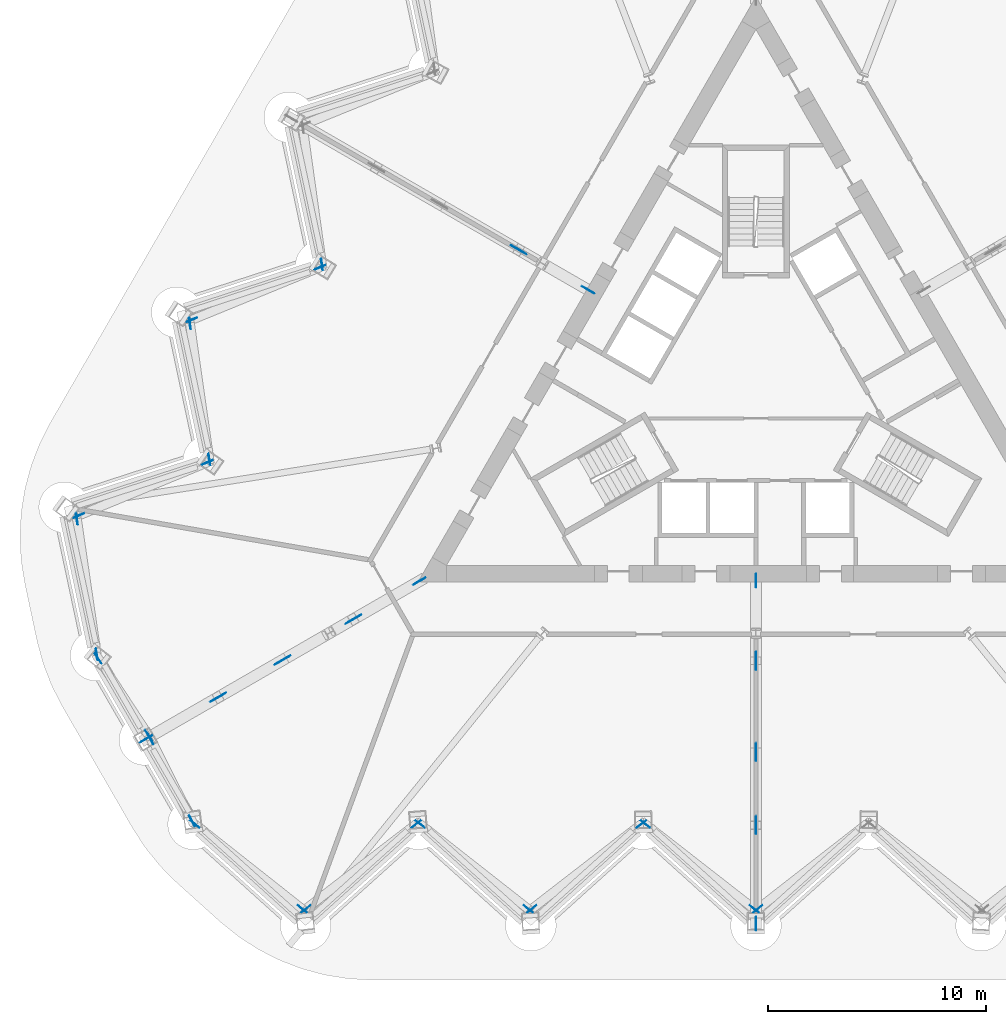
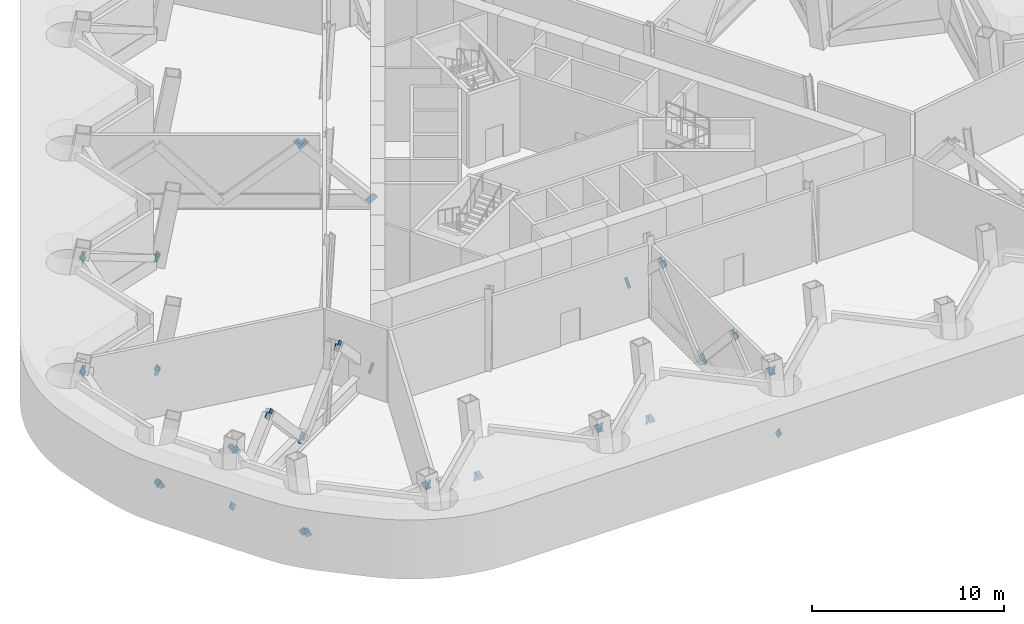
# One storey, part 8 of 13: 43 discrete accessories.
"""IFC4 building model written with IfcOpenShell, lengths in metres."""

from ifc_helpers import new_model, si_unit, direction, frame, origin, origin_2d, place, context, subcontext, project, spatial, rectangle, extrude, material, material_profile, profile_set, type_object, element, save


model = new_model("IFC4")

# Units and contexts
model_context = context("Model", 3, precision=1e-05, world=origin(), true_north=direction((0.0, 1.0)))
body_context = subcontext(model_context, "Body", "Model", "MODEL_VIEW")
ifc_project = project(units=[si_unit("LENGTHUNIT", "METRE"), si_unit("AREAUNIT", "SQUARE_METRE"), si_unit("VOLUMEUNIT", "CUBIC_METRE"), si_unit("PLANEANGLEUNIT", "RADIAN"), si_unit("MASSUNIT", "GRAM", prefix="KILO")], contexts=[model_context])

# Site, building, storey
site_placement = place(None, origin())
site = spatial("IfcSite", under=ifc_project, at=site_placement, CompositionType="ELEMENT")
building_placement = place(site_placement, origin())
building = spatial("IfcBuilding", under=site, at=building_placement, Name="Cormorant Prow Tower", CompositionType="ELEMENT")
storey_placement = place(building_placement, frame((0.0, 0.0, 226.0)))
storey = spatial("IfcBuildingStorey", under=building, at=storey_placement, Name="L49", CompositionType="ELEMENT", Elevation=226.0)

# Discrete accessories
ifc_material_1 = material(Name="Structural steel ASTM A500 Gr C", Category="steel")
ifc_material_profile_1 = material_profile(ifc_material_1, rectangle(XDim=0.031982421875, YDim=0.506103515625, at=origin_2d()), Name="Gusset plate 32x506")
ifc_profile_set_1 = profile_set([ifc_material_profile_1], Name="Structural steel ASTM A500 Gr C")
discrete_accessory_type_1 = type_object("IfcDiscreteAccessoryType", Name="Gusset plate 32x506", PredefinedType="BRACKET", material=ifc_profile_set_1)
for number, where, z_axis, x_axis, name in (
    (1, (-25.63037109375, -20.1552734375, 0.60009765625), (-0.67933311611, 0.53704979405, -0.500084029005), (-0.620166431531, -0.784470265339, 0.0), "Gusset plate GP2 L49.S00.g0"),
    (2, (-20.941650390625, -23.859375, 4.050048828125), (0.67933311611, -0.53704979405, 0.500084029005), (0.620166431531, 0.784470265339, 0.0), "Gusset plate GP2 L49.S00.g1"),
    (3, (-15.707275390625, -20.1533203125, 0.59814453125), (0.689207803616, 0.530159848935, -0.493885754008), (-0.60971076085, 0.792623989105, 0.0), "Gusset plate GP2 L49.S01.g0"),
    (4, (-20.531005859375, -23.861328125, 4.052001953125), (-0.68981106465, -0.530087370206, 0.493120750968), (0.609323229483, -0.792921939419, 0.0), "Gusset plate GP2 L49.S01.g1"),
    (5, (-15.2958984375, -20.15478515625, 0.599609375), (-0.682067742862, 0.534914068277, -0.498648707716), (-0.617110632136, -0.786876399255, 0.0), "Gusset plate GP2 L49.S02.g0"),
):
    element("IfcDiscreteAccessory", number, at=place(storey_placement, frame(where, z_axis=z_axis, x_axis=x_axis)), inside=storey, type_object=discrete_accessory_type_1, Name=name, PredefinedType="BRACKET", context=body_context, shape_type="SweptSolid", body=[
        extrude(rectangle(XDim=0.031982421875, YDim=0.506103515625, at=origin_2d()), origin(), (0.0, 0.0, 1.0), 0.35009765625),
    ])
discrete_accessory_1_placement = place(storey_placement, frame((-10.573486328125, -23.85986328125, 4.050537109375), z_axis=(0.681931764395, -0.535354824248, 0.498361596497), x_axis=(0.617501497855, 0.786569704569, 0.0)))
element("IfcDiscreteAccessory", 6, at=discrete_accessory_1_placement, inside=storey, type_object=discrete_accessory_type_1, Name="Gusset plate GP2 L49.S02.g1", PredefinedType="BRACKET", context=body_context, shape_type="SweptSolid", body=[
    extrude(rectangle(XDim=0.031982421875, YDim=0.506103515625, at=origin_2d()), origin(), (0.0, 0.0, 1.0), 0.349853515625),
])
for number, where, z_axis, x_axis, name in (
    (7, (-5.373046875, -20.15380859375, 0.5986328125), (0.686866771604, 0.532060250491, -0.495101936892), (-0.612383612236, 0.790560757605, 0.0), "Gusset plate GP2 L49.S03.g0"),
    (8, (-10.162841796875, -23.86083984375, 4.051513671875), (-0.686866771604, -0.532060250491, 0.495101936892), (0.612383612236, -0.790560757605, 0.0), "Gusset plate GP2 L49.S03.g1"),
):
    element("IfcDiscreteAccessory", number, at=place(storey_placement, frame(where, z_axis=z_axis, x_axis=x_axis)), inside=storey, type_object=discrete_accessory_type_1, Name=name, PredefinedType="BRACKET", context=body_context, shape_type="SweptSolid", body=[
        extrude(rectangle(XDim=0.031982421875, YDim=0.506103515625, at=origin_2d()), origin(), (0.0, 0.0, 1.0), 0.35009765625),
    ])
discrete_accessory_2_placement = place(storey_placement, frame((-4.96142578125, -20.154296875, 0.59912109375), z_axis=(-0.684537831698, 0.533270306771, -0.497021867618), x_axis=(-0.614552200548, -0.788876158089, 0.0)))
element("IfcDiscreteAccessory", 9, at=discrete_accessory_2_placement, inside=storey, type_object=discrete_accessory_type_1, Name="Gusset plate GP2 L49.S04.g0", PredefinedType="BRACKET", context=body_context, shape_type="SweptSolid", body=[
    extrude(rectangle(XDim=0.031982421875, YDim=0.506103515625, at=origin_2d()), origin(), (0.0, 0.0, 1.0), 0.350341796875),
])
for number, where, z_axis, x_axis, name in (
    (10, (-0.205322265625, -23.8603515625, 4.051025390625), (0.684404354087, -0.533709817407, 0.496733843129), (0.61494183436, 0.788572469944, 0.0), "Gusset plate GP2 L49.S04.g1"),
    (11, (0.205322265625, -23.8603515625, 4.051025390625), (-0.684404354087, -0.533709817407, 0.496733843129), (0.61494183436, -0.788572469944, 0.0), "Gusset plate GP2 L49.S05.g1"),
):
    element("IfcDiscreteAccessory", number, at=place(storey_placement, frame(where, z_axis=z_axis, x_axis=x_axis)), inside=storey, type_object=discrete_accessory_type_1, Name=name, PredefinedType="BRACKET", context=body_context, shape_type="SweptSolid", body=[
        extrude(rectangle(XDim=0.031982421875, YDim=0.506103515625, at=origin_2d()), origin(), (0.0, 0.0, 1.0), 0.349853515625),
    ])
for number, where, z_axis, x_axis, name in (
    (12, (-19.934814453125, 5.7802734375, 0.59912109375), (0.119961101669, -0.859256263118, -0.497280613314), (0.990394657422, 0.138269383991, 0.0), "Gusset plate GP2 L49.WNW05.g0"),
    (13, (-20.14013671875, 5.423828125, 0.5986328125), (0.804056947332, 0.329154275057, -0.49512613409), (-0.378851611009, 0.925457431131, 0.0), "Gusset plate GP2 L49.WNW06.g0"),
    (14, (-25.74560546875, 3.129150390625, 4.051513671875), (-0.804056947332, -0.329154275057, 0.49512613409), (0.378851611009, -0.925457431131, 0.0), "Gusset plate GP2 L49.WNW06.g1"),
    (15, (-25.1025390625, -3.169189453125, 0.599609375), (0.12269763804, -0.858186320608, -0.498459154537), (0.989933403857, 0.141533939138, 0.0), "Gusset plate GP2 L49.WNW07.g0"),
    (16, (-25.9501953125, 2.77294921875, 4.050537109375), (-0.122053298039, 0.858557770774, 0.497977455997), (-0.990045774508, -0.140745743736, 0.0), "Gusset plate GP2 L49.WNW07.g1"),
    (17, (-25.306884765625, -3.5263671875, 0.59814453125), (0.803623232276, 0.332052655003, -0.493893444836), (-0.381879341576, 0.924212188016, 0.0), "Gusset plate GP2 L49.WNW08.g0"),
):
    element("IfcDiscreteAccessory", number, at=place(storey_placement, frame(where, z_axis=z_axis, x_axis=x_axis)), inside=storey, type_object=discrete_accessory_type_1, Name=name, PredefinedType="BRACKET", context=body_context, shape_type="SweptSolid", body=[
        extrude(rectangle(XDim=0.031982421875, YDim=0.506103515625, at=origin_2d()), origin(), (0.0, 0.0, 1.0), 0.35009765625),
    ])
for number, where, z_axis, x_axis, name in (
    (18, (-30.93017578125, -5.849609375, 4.052001953125), (-0.803900055991, -0.332167037024, 0.493365746168), (0.381879341576, -0.924212188016, 0.0), "Gusset plate GP2 L49.WNW08.g1"),
    (19, (-30.270263671875, -12.118896484375, 0.60009765625), (0.125580522605, -0.856738231991, -0.500229081708), (0.989427250348, 0.145030052983, 0.0), "Gusset plate GP2 L49.WNW09.g0"),
    (20, (-31.1337890625, -6.206298828125, 4.050048828125), (-0.124893765522, 0.856813095311, 0.500272792621), (-0.989542567854, -0.144241139777, 0.0), "Gusset plate GP2 L49.WNW09.g1"),
):
    element("IfcDiscreteAccessory", number, at=place(storey_placement, frame(where, z_axis=z_axis, x_axis=x_axis)), inside=storey, type_object=discrete_accessory_type_1, Name=name, PredefinedType="BRACKET", context=body_context, shape_type="SweptSolid", body=[
        extrude(rectangle(XDim=0.031982421875, YDim=0.506103515625, at=origin_2d()), origin(), (0.0, 0.0, 1.0), 0.349853515625),
    ])
discrete_accessory_3_placement = place(storey_placement, frame((-30.107666015625, -12.567138671875, 0.64453125), z_axis=(-0.416282667863, 0.637323883462, -0.648480537877), x_axis=(-0.837227710568, -0.546854423642, 0.0)))
element("IfcDiscreteAccessory", 21, at=discrete_accessory_3_placement, inside=storey, type_object=discrete_accessory_type_1, Name="Gusset plate GP2 L49.WSW00.g0", PredefinedType="BRACKET", context=body_context, shape_type="SweptSolid", body=[
    extrude(rectangle(XDim=0.031982421875, YDim=0.506103515625, at=origin_2d()), origin(), (0.0, 0.0, 1.0), 0.35009765625),
])
discrete_accessory_4_placement = place(storey_placement, frame((-27.946533203125, -15.87158203125, 4.005615234375), z_axis=(0.416470928816, -0.637612108773, 0.648076202462), x_axis=(0.837227710568, 0.546854423642, 0.0)))
element("IfcDiscreteAccessory", 22, at=discrete_accessory_4_placement, inside=storey, type_object=discrete_accessory_type_1, Name="Gusset plate GP2 L49.WSW00.g1", PredefinedType="BRACKET", context=body_context, shape_type="SweptSolid", body=[
    extrude(rectangle(XDim=0.031982421875, YDim=0.506103515625, at=origin_2d()), origin(), (0.0, 0.0, 1.0), 0.349853515625),
])
discrete_accessory_5_placement = place(storey_placement, frame((-25.937255859375, -19.790283203125, 0.64453125), z_axis=(0.343608325147, -0.6795499331, -0.648186090034), x_axis=(0.892404493698, 0.45123632348, 0.0)))
element("IfcDiscreteAccessory", 23, at=discrete_accessory_5_placement, inside=storey, type_object=discrete_accessory_type_1, Name="Gusset plate GP2 L49.WSW01.g0", PredefinedType="BRACKET", context=body_context, shape_type="SweptSolid", body=[
    extrude(rectangle(XDim=0.031982421875, YDim=0.506103515625, at=origin_2d()), origin(), (0.0, 0.0, 1.0), 0.350341796875),
])
discrete_accessory_6_placement = place(storey_placement, frame((-27.718505859375, -16.2666015625, 4.005615234375), z_axis=(-0.343926574241, 0.67948171057, 0.648088818398), x_axis=(-0.892217899749, -0.451605158703, 0.0)))
element("IfcDiscreteAccessory", 24, at=discrete_accessory_6_placement, inside=storey, type_object=discrete_accessory_type_1, Name="Gusset plate GP2 L49.WSW01.g1", PredefinedType="BRACKET", context=body_context, shape_type="SweptSolid", body=[
    extrude(rectangle(XDim=0.031982421875, YDim=0.506103515625, at=origin_2d()), origin(), (0.0, 0.0, 1.0), 0.349853515625),
])
ifc_material_2 = material(Name="Structural steel ASTM A500 Gr C", Category="steel")
ifc_material_profile_2 = material_profile(ifc_material_2, rectangle(XDim=0.031982421875, YDim=0.60791015625, at=origin_2d()), Name="Gusset plate 32x608")
ifc_profile_set_2 = profile_set([ifc_material_profile_2], Name="Structural steel ASTM A500 Gr C")
discrete_accessory_type_2 = type_object("IfcDiscreteAccessoryType", Name="Gusset plate 32x608", PredefinedType="BRACKET", material=ifc_profile_set_2)
for number, where, z_axis, x_axis, name in (
    (25, (-7.806884765625, 4.50732421875, 0.708740234375), (0.62268410489, -0.359106734623, -0.695202746445), (0.49958248226, 0.866266323609, 0.0), "Gusset plate GP1 L49.03.1.g0"),
    (26, (-10.699951171875, 6.177734375, 3.941162109375), (-0.62268410489, 0.359106734623, 0.695202746445), (-0.49958248226, -0.866266323609, 0.0), "Gusset plate GP1 L49.03.1.g1"),
):
    element("IfcDiscreteAccessory", number, at=place(storey_placement, frame(where, z_axis=z_axis, x_axis=x_axis)), inside=storey, type_object=discrete_accessory_type_2, Name=name, PredefinedType="BRACKET", context=body_context, shape_type="SweptSolid", body=[
        extrude(rectangle(XDim=0.031982421875, YDim=0.60791015625, at=origin_2d()), origin(), (0.0, 0.0, 1.0), 0.35009765625),
    ])
discrete_accessory_7_placement = place(storey_placement, frame((-11.08251953125, 6.398681640625, 3.952880859375), z_axis=(0.653052889335, -0.377458988387, 0.656541419727), x_axis=(0.500416287672, 0.865784926545, 0.0)))
element("IfcDiscreteAccessory", 27, at=discrete_accessory_7_placement, inside=storey, type_object=discrete_accessory_type_2, Name="Gusset plate GP1 L49.03.2.g0", PredefinedType="BRACKET", context=body_context, shape_type="SweptSolid", body=[
    extrude(rectangle(XDim=0.031982421875, YDim=0.60791015625, at=origin_2d()), origin(), (0.0, 0.0, 1.0), 0.349853515625),
])
for number, where, z_axis, x_axis, name in (
    (28, (-15.552001953125, -8.97900390625, 0.71435546875), (0.606528819606, 0.349974100508, -0.713891392272), (-0.499779910804, 0.866152435058, 0.0), "Gusset plate GP1 L49.05.1.g0"),
    (29, (-18.28955078125, -10.5595703125, 3.935791015625), (-0.60683076463, -0.350148326257, 0.713549278409), (0.499779910804, -0.866152435058, 0.0), "Gusset plate GP1 L49.05.1.g1"),
    (30, (-18.65771484375, -10.77197265625, 3.9404296875), (0.620074641984, 0.357815850774, 0.698194281919), (-0.4998067952, 0.866136921896, 0.0), "Gusset plate GP1 L49.05.2.g0"),
):
    element("IfcDiscreteAccessory", number, at=place(storey_placement, frame(where, z_axis=z_axis, x_axis=x_axis)), inside=storey, type_object=discrete_accessory_type_2, Name=name, PredefinedType="BRACKET", context=body_context, shape_type="SweptSolid", body=[
        extrude(rectangle(XDim=0.031982421875, YDim=0.60791015625, at=origin_2d()), origin(), (0.0, 0.0, 1.0), 0.35009765625),
    ])
discrete_accessory_8_placement = place(storey_placement, frame((-21.5283203125, -12.429443359375, 0.70947265625), z_axis=(-0.620376680767, -0.35799014312, -0.697836536296), x_axis=(0.4998067952, -0.866136921896, 0.0)))
element("IfcDiscreteAccessory", 31, at=discrete_accessory_8_placement, inside=storey, type_object=discrete_accessory_type_2, Name="Gusset plate GP1 L49.05.2.g1", PredefinedType="BRACKET", context=body_context, shape_type="SweptSolid", body=[
    extrude(rectangle(XDim=0.031982421875, YDim=0.60791015625, at=origin_2d()), origin(), (0.0, 0.0, 1.0), 0.349853515625),
])
discrete_accessory_9_placement = place(storey_placement, frame((-21.89208984375, -12.639404296875, 0.718994140625), z_axis=(0.592243060684, 0.341812838322, -0.729665773234), x_axis=(-0.499869636591, 0.866100656052, 0.0)))
element("IfcDiscreteAccessory", 32, at=discrete_accessory_9_placement, inside=storey, type_object=discrete_accessory_type_2, Name="Gusset plate GP1 L49.05.3.g0", PredefinedType="BRACKET", context=body_context, shape_type="SweptSolid", body=[
    extrude(rectangle(XDim=0.031982421875, YDim=0.60791015625, at=origin_2d()), origin(), (0.0, 0.0, 1.0), 0.35009765625),
])
discrete_accessory_10_placement = place(storey_placement, frame((-24.497314453125, -14.1435546875, 3.930908203125), z_axis=(-0.591789879212, -0.341954057564, 0.729967233085), x_axis=(0.500311619692, -0.865845415303, 0.0)))
element("IfcDiscreteAccessory", 33, at=discrete_accessory_10_placement, inside=storey, type_object=discrete_accessory_type_2, Name="Gusset plate GP1 L49.05.3.g1", PredefinedType="BRACKET", context=body_context, shape_type="SweptSolid", body=[
    extrude(rectangle(XDim=0.031982421875, YDim=0.60791015625, at=origin_2d()), origin(), (0.0, 0.0, 1.0), 0.349853515625),
])
discrete_accessory_11_placement = place(storey_placement, frame((-24.86474609375, -14.355712890625, 3.945068359375), z_axis=(0.633020729157, 0.365311522113, 0.682519046085), x_axis=(-0.499832553123, 0.866122057702, 0.0)))
element("IfcDiscreteAccessory", 34, at=discrete_accessory_11_placement, inside=storey, type_object=discrete_accessory_type_2, Name="Gusset plate GP1 L49.05.4.g0", PredefinedType="BRACKET", context=body_context, shape_type="SweptSolid", body=[
    extrude(rectangle(XDim=0.031982421875, YDim=0.60791015625, at=origin_2d()), origin(), (0.0, 0.0, 1.0), 0.35009765625),
])
discrete_accessory_12_placement = place(storey_placement, frame((-27.868896484375, -16.090087890625, 0.704833984375), z_axis=(-0.63290399044, -0.36564684784, -0.682447742724), x_axis=(0.500245787068, -0.865883452043, 0.0)))
element("IfcDiscreteAccessory", 35, at=discrete_accessory_12_placement, inside=storey, type_object=discrete_accessory_type_2, Name="Gusset plate GP1 L49.05.4.g1", PredefinedType="BRACKET", context=body_context, shape_type="SweptSolid", body=[
    extrude(rectangle(XDim=0.031982421875, YDim=0.60791015625, at=origin_2d()), origin(), (0.0, 0.0, 1.0), 0.349853515625),
])
for number, where, z_axis, x_axis, name in (
    (36, (0.0, -9.0146484375, 0.708740234375), (0.0, 0.718860608895, -0.695154245459), (-1.0, 0.0, 0.0), "Gusset plate GP1 L49.07.1.g0"),
    (37, (0.0, -12.355224609375, 3.941162109375), (0.0, -0.718860608895, 0.695154245459), (1.0, 0.0, 0.0), "Gusset plate GP1 L49.07.1.g1"),
):
    element("IfcDiscreteAccessory", number, at=place(storey_placement, frame(where, z_axis=z_axis, x_axis=x_axis)), inside=storey, type_object=discrete_accessory_type_2, Name=name, PredefinedType="BRACKET", context=body_context, shape_type="SweptSolid", body=[
        extrude(rectangle(XDim=0.031982421875, YDim=0.60791015625, at=origin_2d()), origin(), (0.0, 0.0, 1.0), 0.35009765625),
    ])
for number, where, z_axis, x_axis, name in (
    (38, (0.0, -12.797119140625, 3.952880859375), (0.0, 0.754259925994, 0.656575939279), (-1.0, 0.0, 0.0), "Gusset plate GP1 L49.07.2.g0"),
    (39, (0.0, -16.5341796875, 0.697265625), (0.0, -0.753613183054, -0.657318165219), (1.0, 0.0, 0.0), "Gusset plate GP1 L49.07.2.g1"),
):
    element("IfcDiscreteAccessory", number, at=place(storey_placement, frame(where, z_axis=z_axis, x_axis=x_axis)), inside=storey, type_object=discrete_accessory_type_2, Name=name, PredefinedType="BRACKET", context=body_context, shape_type="SweptSolid", body=[
        extrude(rectangle(XDim=0.031982421875, YDim=0.60791015625, at=origin_2d()), origin(), (0.0, 0.0, 1.0), 0.349853515625),
    ])
for number, where, z_axis, x_axis, name in (
    (40, (0.0, -16.96337890625, 0.720947265625), (0.0, 0.677207606926, -0.735791993107), (-1.0, 0.0, 0.0), "Gusset plate GP1 L49.07.3.g0"),
    (41, (0.0, -19.911865234375, 3.928955078125), (0.0, -0.676482205106, 0.73645897793), (1.0, 0.0, 0.0), "Gusset plate GP1 L49.07.3.g1"),
    (42, (0.0, -20.35009765625, 3.963623046875), (0.0, 0.783989247086, 0.620774403832), (-1.0, 0.0, 0.0), "Gusset plate GP1 L49.07.4.g0"),
    (43, (0.0, -24.486328125, 0.6865234375), (0.0, -0.783649817648, -0.621202835876), (1.0, 0.0, 0.0), "Gusset plate GP1 L49.07.4.g1"),
):
    element("IfcDiscreteAccessory", number, at=place(storey_placement, frame(where, z_axis=z_axis, x_axis=x_axis)), inside=storey, type_object=discrete_accessory_type_2, Name=name, PredefinedType="BRACKET", context=body_context, shape_type="SweptSolid", body=[
        extrude(rectangle(XDim=0.031982421875, YDim=0.60791015625, at=origin_2d()), origin(), (0.0, 0.0, 1.0), 0.35009765625),
    ])

save(model, "model.ifc")
